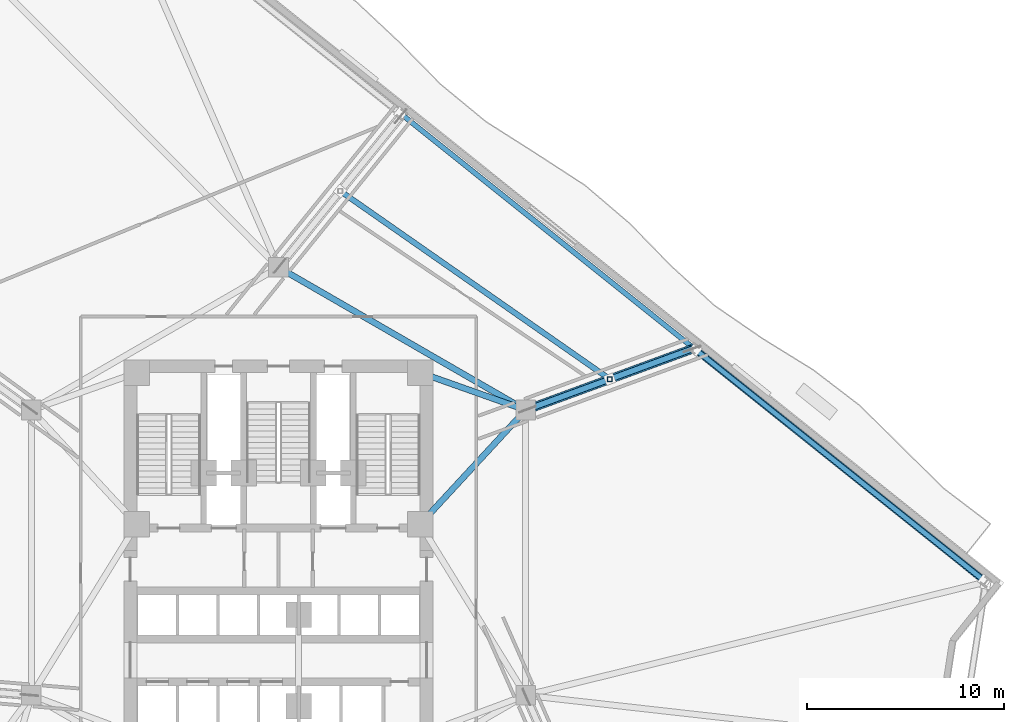
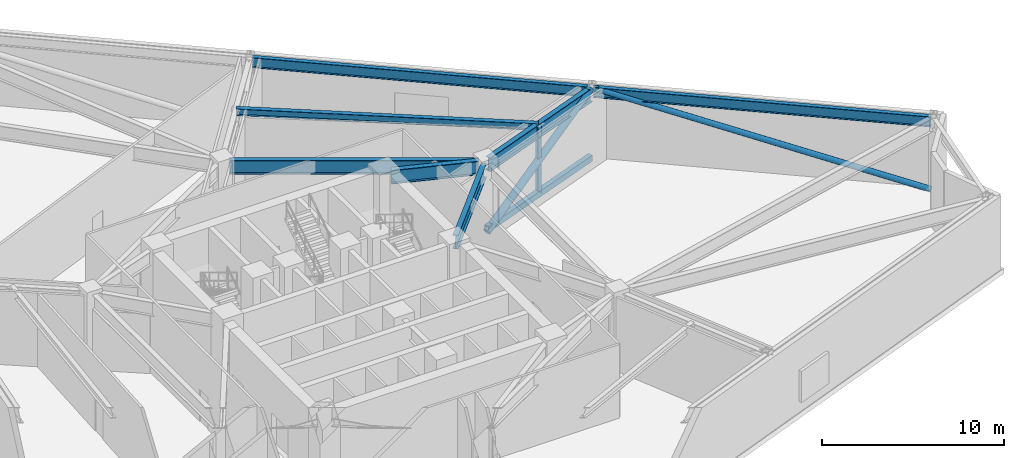
# One storey, part 7 of 18: 7 beams, 4 members.
"""IFC4 building model written with IfcOpenShell, lengths in metres."""

from ifc_helpers import new_model, si_unit, direction, frame, origin, origin_2d, place, context, subcontext, project, spatial, hollow_rectangle, hollow_circle, i_section, extrude, material, material_profile, profile_set, type_object, element, save


model = new_model("IFC4")

# Units and contexts
model_context = context("Model", 3, precision=1e-05, world=origin(), true_north=direction((0.0, 1.0)))
body_context = subcontext(model_context, "Body", "Model", "MODEL_VIEW")
ifc_project = project(units=[si_unit("LENGTHUNIT", "METRE"), si_unit("AREAUNIT", "SQUARE_METRE"), si_unit("VOLUMEUNIT", "CUBIC_METRE"), si_unit("PLANEANGLEUNIT", "RADIAN"), si_unit("MASSUNIT", "GRAM", prefix="KILO")], contexts=[model_context])

# Site, building, storey
site_placement = place(None, origin())
site = spatial("IfcSite", under=ifc_project, at=site_placement, CompositionType="ELEMENT")
building_placement = place(site_placement, origin())
building = spatial("IfcBuilding", under=site, at=building_placement, Name="Apsidion Concourse Tower", CompositionType="ELEMENT")
storey_placement = place(building_placement, frame((0.0, 0.0, 127.0)))
storey = spatial("IfcBuildingStorey", under=building, at=storey_placement, Name="L29", CompositionType="ELEMENT", Elevation=127.0)

# Beams
ifc_material_1 = material(Name="Structural steel ASTM A992 Grade 50", Category="steel")
ifc_material_profile_1 = material_profile(ifc_material_1, i_section(OverallWidth=0.280029296875, OverallDepth=0.462890625, WebThickness=0.0107421875, FlangeThickness=0.017333984375, at=origin_2d()), Name="W18X76")
ifc_profile_set_1 = profile_set([ifc_material_profile_1], Name="Structural steel ASTM A992 Grade 50")
beam_type_1 = type_object("IfcBeamType", Name="BM-FL-W18M", PredefinedType="BEAM", material=ifc_profile_set_1)
beam_1_placement = place(storey_placement, frame((16.836181640625, 8.818359375, 4.718505859375), z_axis=(-0.819987071057, 0.572382043131, 0.0), x_axis=(-0.572382043131, -0.819987071057, 0.0)))
element("IfcBeam", 1, at=beam_1_placement, inside=storey, type_object=beam_type_1, Name="L29 Secondary Floor Beam SEC-F3", PredefinedType="BEAM", context=body_context, shape_type="SweptSolid", body=[
    extrude(i_section(OverallWidth=0.280029296875, OverallDepth=0.462890625, WebThickness=0.0107421875, FlangeThickness=0.017333984375, at=origin_2d()), origin(), (0.0, 0.0, 1.0), 16.70703125),
])
ifc_material_profile_2 = material_profile(ifc_material_1, i_section(OverallWidth=0.31005859375, OverallDepth=0.931884765625, WebThickness=0.02099609375, FlangeThickness=0.034423828125, at=origin_2d()), Name="W36X210")
ifc_profile_set_2 = profile_set([ifc_material_profile_2], Name="Structural steel ASTM A992 Grade 50")
beam_type_2 = type_object("IfcBeamType", Name="BM-G-W36", PredefinedType="USERDEFINED", material=ifc_profile_set_2)
beam_2_placement = place(storey_placement, frame((12.28857421875, 6.956298828125, 4.48388671875), z_axis=(-0.678712876106, -0.73440372535, 0.0), x_axis=(0.73440372535, -0.678712876106, 0.0)))
element("IfcBeam", 2, at=beam_2_placement, inside=storey, type_object=beam_type_2, Name="L29 Core Coupling Girder IC3-SC3", ObjectType="GIRDER", PredefinedType="USERDEFINED", context=body_context, shape_type="SweptSolid", body=[
    extrude(i_section(OverallWidth=0.31005859375, OverallDepth=0.931884765625, WebThickness=0.02099609375, FlangeThickness=0.034423828125, at=origin_2d()), origin(), (0.0, 0.0, 1.0), 7.097412109375),
])
beam_3_placement = place(storey_placement, frame((12.18310546875, 7.383544921875, 4.48388671875), z_axis=(-0.942533844539, 0.334110688094, 0.0), x_axis=(-0.334110688094, -0.942533844539, 0.0)))
element("IfcBeam", 3, at=beam_3_placement, inside=storey, type_object=beam_type_2, Name="L29 Core Coupling Girder IC3-SC4", ObjectType="GIRDER", PredefinedType="USERDEFINED", context=body_context, shape_type="SweptSolid", body=[
    extrude(i_section(OverallWidth=0.31005859375, OverallDepth=0.931884765625, WebThickness=0.02099609375, FlangeThickness=0.034423828125, at=origin_2d()), origin(), (0.0, 0.0, 1.0), 4.886962890625),
])
beam_4_placement = place(storey_placement, frame((0.346435546875, 14.300048828125, 4.48388671875), z_axis=(0.866070471464, -0.499921932364, 0.0), x_axis=(0.499921932364, 0.866070471464, 0.0)))
element("IfcBeam", 4, at=beam_4_placement, inside=storey, type_object=beam_type_2, Name="L29 Core Coupling Girder IC4-IC3", ObjectType="GIRDER", PredefinedType="USERDEFINED", context=body_context, shape_type="SweptSolid", body=[
    extrude(i_section(OverallWidth=0.31005859375, OverallDepth=0.931884765625, WebThickness=0.02099609375, FlangeThickness=0.034423828125, at=origin_2d()), origin(), (0.0, 0.0, 1.0), 13.702392578125),
])
beam_5_placement = place(storey_placement, frame((12.7666015625, 7.32568359375, 4.48388671875), z_axis=(0.938840099728, 0.34435340443, 0.0), x_axis=(-0.34435340443, 0.938840099728, 0.0)))
element("IfcBeam", 5, at=beam_5_placement, inside=storey, type_object=beam_type_2, Name="L29 Radial Floor Girder RAD-10", ObjectType="GIRDER", PredefinedType="USERDEFINED", context=body_context, shape_type="SweptSolid", body=[
    extrude(i_section(OverallWidth=0.31005859375, OverallDepth=0.931884765625, WebThickness=0.02099609375, FlangeThickness=0.034423828125, at=origin_2d()), origin(), (0.0, 0.0, 1.0), 8.789306640625),
])
ifc_material_profile_3 = material_profile(ifc_material_1, i_section(OverallWidth=0.256103515625, OverallDepth=0.693115234375, WebThickness=0.014404296875, FlangeThickness=0.023681640625, at=origin_2d()), Name="W27X114")
ifc_profile_set_3 = profile_set([ifc_material_profile_3], Name="Structural steel ASTM A992 Grade 50")
beam_type_3 = type_object("IfcBeamType", Name="BM-SP-W27", PredefinedType="SPANDREL", material=ifc_profile_set_3)
beam_6_placement = place(storey_placement, frame((35.873046875, -1.426025390625, 4.603515625), z_axis=(-0.780761138975, 0.624829611868, 0.0), x_axis=(-0.624829611868, -0.780761138975, 0.0)))
element("IfcBeam", 6, at=beam_6_placement, inside=storey, type_object=beam_type_3, Name="L29 Perimeter Spandrel Girder SP-09", PredefinedType="SPANDREL", context=body_context, shape_type="SweptSolid", body=[
    extrude(i_section(OverallWidth=0.256103515625, OverallDepth=0.693115234375, WebThickness=0.014404296875, FlangeThickness=0.023681640625, at=origin_2d()), origin(), (0.0, 0.0, 1.0), 18.805419921875),
])
beam_7_placement = place(storey_placement, frame((21.0341796875, 10.44921875, 4.603515625), z_axis=(-0.780754805621, 0.624837525682, 0.0), x_axis=(-0.624837525682, -0.780754805621, 0.0)))
element("IfcBeam", 7, at=beam_7_placement, inside=storey, type_object=beam_type_3, Name="L29 Perimeter Spandrel Girder SP-10", PredefinedType="SPANDREL", context=body_context, shape_type="SweptSolid", body=[
    extrude(i_section(OverallWidth=0.256103515625, OverallDepth=0.693115234375, WebThickness=0.014404296875, FlangeThickness=0.023681640625, at=origin_2d()), origin(), (0.0, 0.0, 1.0), 18.8056640625),
])

# Members
ifc_material_2 = material(Name="Structural steel ASTM A500 Grade C", Category="steel")
ifc_material_profile_4 = material_profile(ifc_material_2, hollow_circle(Radius=0.177978515625, WallThickness=0.02001953125, at=origin_2d()), Name="CHS356X20")
ifc_profile_set_4 = profile_set([ifc_material_profile_4], Name="Structural steel ASTM A500 Grade C")
member_type_1 = type_object("IfcMemberType", Name="MB-BR-CHS356", PredefinedType="BRACE", material=ifc_profile_set_4)
member_1_placement = place(storey_placement, frame((35.873046875, -1.426025390625, 0.0), z_axis=(-0.756021886413, 0.605031216681, 0.249736128957), x_axis=(-0.624829611868, -0.780761138975, 0.0)))
element("IfcMember", 8, at=member_1_placement, inside=storey, type_object=member_type_1, Name="L29 Perimeter Belt-Truss Diagonal BT-09", PredefinedType="BRACE", context=body_context, shape_type="SweptSolid", body=[
    extrude(hollow_circle(Radius=0.177978515625, WallThickness=0.02001953125, at=origin_2d()), origin(), (0.0, 0.0, 1.0), 19.4208984375),
])
ifc_material_3 = material(Name="Structural steel ASTM A572 Grade 50", Category="steel")
ifc_material_profile_5 = material_profile(ifc_material_3, hollow_circle(Radius=0.228515625, WallThickness=0.02490234375, at=origin_2d()), Name="CHS457X25")
ifc_profile_set_5 = profile_set([ifc_material_profile_5], Name="Structural steel ASTM A572 Grade 50")
member_type_2 = type_object("IfcMemberType", Name="MB-BR-CHS457", PredefinedType="BRACE", material=ifc_profile_set_5)
member_2_placement = place(storey_placement, frame((12.65380859375, 7.284423828125, 0.0), z_axis=(0.82457855141, 0.302432914305, 0.478126076364), x_axis=(-0.344342411465, 0.938844131721, 0.0)))
element("IfcMember", 9, at=member_2_placement, inside=storey, type_object=member_type_2, Name="L29 Radial Outrigger Truss Diagonal OT-03", PredefinedType="BRACE", context=body_context, shape_type="SweptSolid", body=[
    extrude(hollow_circle(Radius=0.228515625, WallThickness=0.02490234375, at=origin_2d()), origin(), (0.0, 0.0, 1.0), 10.14404296875),
])
ifc_material_profile_6 = material_profile(ifc_material_2, hollow_rectangle(XDim=0.300048828125, YDim=0.39990234375, WallThickness=0.02001953125, at=origin_2d()), Name="HSS400X300X20")
ifc_profile_set_6 = profile_set([ifc_material_profile_6], Name="Structural steel ASTM A500 Grade C")
member_type_3 = type_object("IfcMemberType", Name="MB-CH-HSS400", PredefinedType="CHORD", material=ifc_profile_set_6)
member_3_placement = place(storey_placement, frame((12.65380859375, 7.284423828125, 0.219970703125), z_axis=(0.938844131721, 0.344342411465, 0.0), x_axis=(-0.344342411465, 0.938844131721, 0.0)))
element("IfcMember", 10, at=member_3_placement, inside=storey, type_object=member_type_3, Name="L29 Radial Outrigger Bottom Chord OTC-03", PredefinedType="CHORD", context=body_context, shape_type="SweptSolid", body=[
    extrude(hollow_rectangle(XDim=0.300048828125, YDim=0.39990234375, WallThickness=0.02001953125, at=origin_2d()), origin(), (0.0, 0.0, 1.0), 8.909423828125),
])
ifc_material_profile_7 = material_profile(ifc_material_2, hollow_rectangle(XDim=0.25, YDim=0.25, WallThickness=0.01611328125, at=origin_2d()), Name="HSS250X250X16")
ifc_profile_set_7 = profile_set([ifc_material_profile_7], Name="Structural steel ASTM A500 Grade C")
member_type_4 = type_object("IfcMemberType", Name="MB-ST-HSS250", PredefinedType="STRUT", material=ifc_profile_set_7)
member_4_placement = place(storey_placement, frame((16.836181640625, 8.818359375, 0.219970703125), z_axis=(0.0, 0.0, 1.0), x_axis=(1.0, 0.0, 0.0)))
element("IfcMember", 11, at=member_4_placement, inside=storey, type_object=member_type_4, Name="L29 Outrigger Truss Compression Strut OTV-03", PredefinedType="STRUT", context=body_context, shape_type="SweptSolid", body=[
    extrude(hollow_rectangle(XDim=0.25, YDim=0.25, WallThickness=0.01611328125, at=origin_2d()), origin(), (0.0, 0.0, 1.0), 4.630126953125),
])

save(model, "model.ifc")
